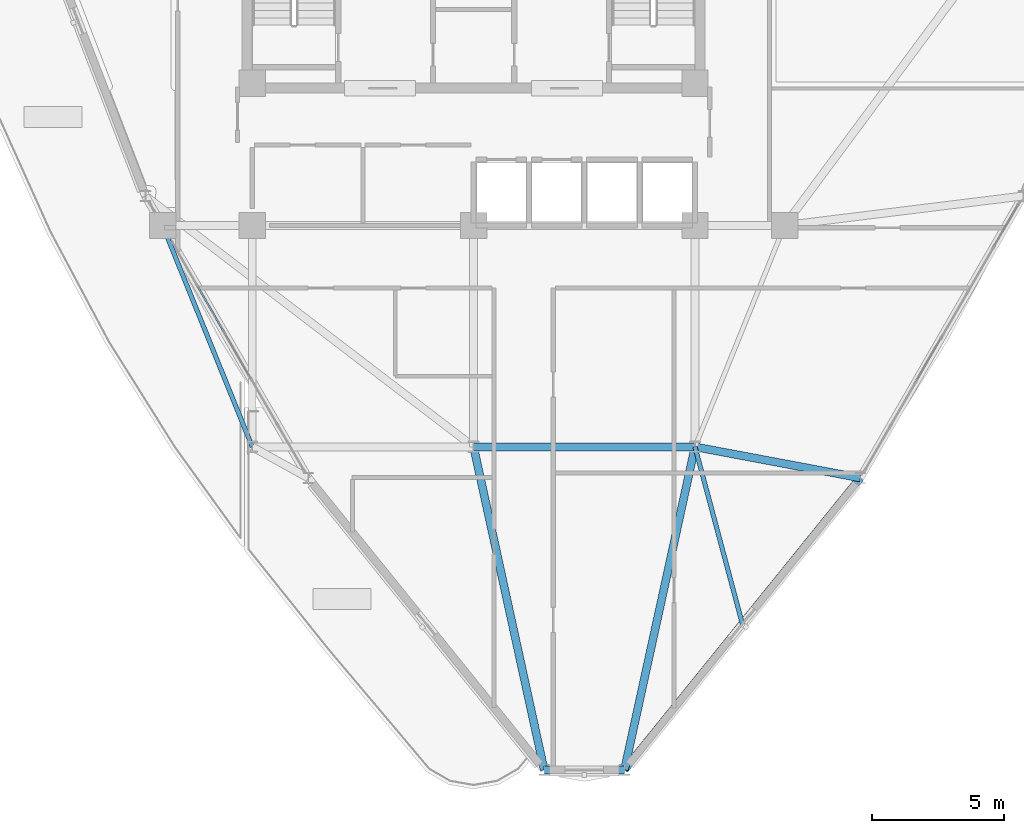
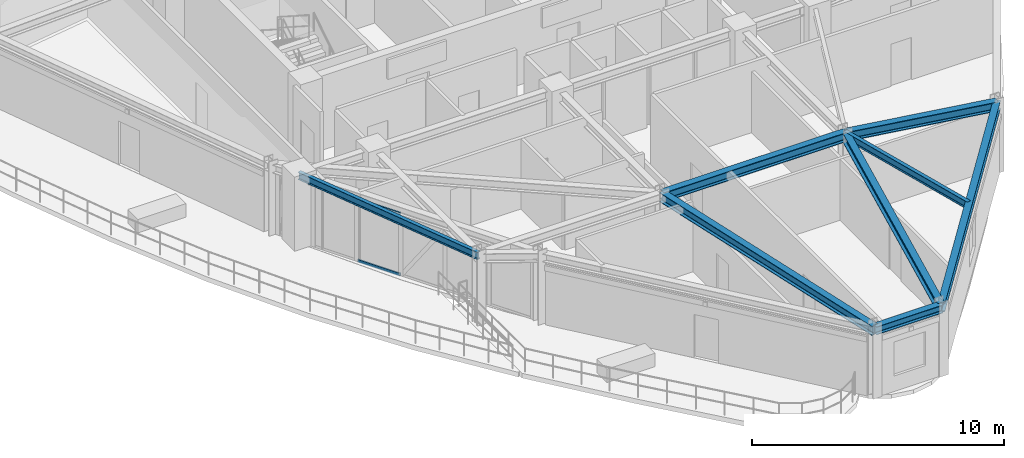
# One storey, part 3 of 19: 8 beams, 2 members, 1 element without a shape of its own.
"""IFC4 building model written with IfcOpenShell, lengths in metres."""

from ifc_helpers import new_model, si_unit, derived_unit, direction, frame, origin, origin_2d, place, context, subcontext, project, spatial, hollow_rectangle, i_section, extrude, source, transform, mapped, material, layer, layer_set, material_profile, profile_set, type_object, element, aggregate, save


model = new_model("IFC4")

# Units and contexts
model_context = context("Model", 3, precision=1e-05, world=origin(), true_north=direction((0.0, 1.0)))
body_context = subcontext(model_context, "Body", "Model", "MODEL_VIEW")
ifc_project = project(units=[si_unit("LENGTHUNIT", "METRE"), si_unit("AREAUNIT", "SQUARE_METRE"), si_unit("VOLUMEUNIT", "CUBIC_METRE"), si_unit("PLANEANGLEUNIT", "RADIAN"), si_unit("MASSUNIT", "GRAM", prefix="KILO"), derived_unit("THERMALTRANSMITTANCEUNIT", [(si_unit("POWERUNIT", "WATT"), 1), (si_unit("LENGTHUNIT", "METRE"), -2), (si_unit("THERMODYNAMICTEMPERATUREUNIT", "KELVIN"), -1)])], contexts=[model_context])

# Site, building, storey
site_placement = place(None, origin())
site = spatial("IfcSite", under=ifc_project, at=site_placement, CompositionType="ELEMENT")
building_placement = place(site_placement, origin())
building = spatial("IfcBuilding", under=site, at=building_placement, Name="Korsvarv Bourse and Concert Hall", CompositionType="ELEMENT")
storey_placement = place(building_placement, frame((0.0, 0.0, 205.800048828125)))
storey = spatial("IfcBuildingStorey", under=building, at=storey_placement, Name="L53", CompositionType="ELEMENT", Elevation=205.800048828125)

# Beams
ifc_material_1 = material(Name="Steel S355", Category="steel")
ifc_material_profile_1 = material_profile(ifc_material_1, i_section(OverallWidth=0.169921875, OverallDepth=0.360107421875, WebThickness=0.008056640625, FlangeThickness=0.0126953125, FilletRadius=0.01806640625, at=origin_2d()), Name="IPE 360")
ifc_profile_set_1 = profile_set([ifc_material_profile_1], Name="Steel S355")
beam_type_1 = type_object("IfcBeamType", Name="BM-IPE360", PredefinedType="JOIST", material=ifc_profile_set_1)
shared_shape_1 = source(origin(), body_context, "Body", "SweptSolid", [
    extrude(i_section(OverallWidth=0.169921875, OverallDepth=0.360107421875, WebThickness=0.008056640625, FlangeThickness=0.0126953125, FilletRadius=0.01806640625, at=origin_2d()), origin(), (0.0, 0.0, 1.0), 9.06201171875),
])
beam_1_placement = place(storey_placement, frame((24.199951171875, 32.39990234375, 3.22998046875), z_axis=(0.375210394783, -0.926939674222, 0.0), x_axis=(0.926939674222, 0.375210394783, 0.0)))
element("IfcBeam", 1, at=beam_1_placement, inside=storey, type_object=beam_type_1, Name="L53 beam J-06", PredefinedType="JOIST", context=body_context, shape_type="MappedRepresentation", body=[
    mapped(shared_shape_1, transform((0.0, 0.0, 0.0), scale=1.0)),
])
ifc_material_profile_2 = material_profile(ifc_material_1, i_section(OverallWidth=0.300048828125, OverallDepth=0.449951171875, WebThickness=0.013916015625, FlangeThickness=0.02587890625, FilletRadius=0.02099609375, at=origin_2d()), Name="HEB 450")
ifc_profile_set_2 = profile_set([ifc_material_profile_2], Name="Steel S355")
beam_type_2 = type_object("IfcBeamType", Name="BM-HEB450", PredefinedType="SPANDREL", material=ifc_profile_set_2)
shared_shape_2 = source(origin(), body_context, "Body", "SweptSolid", [
    extrude(i_section(OverallWidth=0.300048828125, OverallDepth=0.449951171875, WebThickness=0.013916015625, FlangeThickness=0.02587890625, FilletRadius=0.02099609375, at=origin_2d()), origin(), (0.0, 0.0, 1.0), 8.39990234375),
])
beam_2_placement = place(storey_placement, frame((36.0, 24.0, 3.18505859375), z_axis=(1.0, 0.0, 0.0), x_axis=(0.0, 1.0, 0.0)))
element("IfcBeam", 2, at=beam_2_placement, inside=storey, type_object=beam_type_2, Name="L53 beam B-08", PredefinedType="SPANDREL", context=body_context, shape_type="MappedRepresentation", body=[
    mapped(shared_shape_2, transform((0.0, 0.0, 0.0), scale=1.0)),
])
ifc_material_profile_3 = material_profile(ifc_material_1, i_section(OverallWidth=0.300048828125, OverallDepth=0.389892578125, WebThickness=0.010986328125, FlangeThickness=0.01904296875, FilletRadius=0.02099609375, at=origin_2d()), Name="HEA 400")
ifc_profile_set_3 = profile_set([ifc_material_profile_3], Name="Steel S355")
beam_type_3 = type_object("IfcBeamType", Name="BM-HEA400", PredefinedType="BEAM", material=ifc_profile_set_3)
shared_shape_3 = source(origin(), body_context, "Body", "SweptSolid", [
    extrude(i_section(OverallWidth=0.300048828125, OverallDepth=0.389892578125, WebThickness=0.010986328125, FlangeThickness=0.01904296875, FilletRadius=0.02099609375, at=origin_2d()), origin(), (0.0, 0.0, 1.0), 3.044189453125),
])
beam_3_placement = place(storey_placement, frame((38.677978515625, 11.74072265625, 3.21484375), z_axis=(1.0, 0.0, 0.0), x_axis=(0.0, 1.0, 0.0)))
element("IfcBeam", 3, at=beam_3_placement, inside=storey, type_object=beam_type_3, Name="L53 beam B-11", PredefinedType="BEAM", context=body_context, shape_type="MappedRepresentation", body=[
    mapped(shared_shape_3, transform((0.0, 0.0, 0.0), scale=1.0)),
])
shared_shape_4 = source(origin(), body_context, "Body", "SweptSolid", [
    extrude(i_section(OverallWidth=0.300048828125, OverallDepth=0.389892578125, WebThickness=0.010986328125, FlangeThickness=0.01904296875, FilletRadius=0.02099609375, at=origin_2d()), origin(), (0.0, 0.0, 1.0), 14.24462890625),
])
beam_4_placement = place(storey_placement, frame((41.72216796875, 11.74072265625, 3.21484375), z_axis=(0.628514621162, 0.77779776998, 0.0), x_axis=(-0.77779776998, 0.628514621162, 0.0)))
element("IfcBeam", 4, at=beam_4_placement, inside=storey, type_object=beam_type_3, Name="L53 beam B-11", PredefinedType="BEAM", context=body_context, shape_type="MappedRepresentation", body=[
    mapped(shared_shape_4, transform((0.0, 0.0, 0.0), scale=1.0)),
])
shared_shape_5 = source(origin(), body_context, "Body", "SweptSolid", [
    extrude(i_section(OverallWidth=0.300048828125, OverallDepth=0.449951171875, WebThickness=0.013916015625, FlangeThickness=0.02587890625, FilletRadius=0.02099609375, at=origin_2d()), origin(), (0.0, 0.0, 1.0), 12.54833984375),
])
for number, where, z_axis, x_axis, name in (
    (5, (38.677978515625, 11.74072265625, 3.18505859375), (-0.213412555087, 0.976962169857, 0.0), (-0.976962169857, -0.213412555087, 0.0), "L53 beam B-08"),
    (6, (41.72216796875, 11.74072265625, 3.18505859375), (0.213393985121, 0.976966226189, 0.0), (-0.976966226189, 0.213393985121, 0.0), "L53 beam B-08"),
):
    element("IfcBeam", number, at=place(storey_placement, frame(where, z_axis=z_axis, x_axis=x_axis)), inside=storey, type_object=beam_type_2, Name=name, PredefinedType="SPANDREL", context=body_context, shape_type="MappedRepresentation", body=[
        mapped(shared_shape_5, transform((0.0, 0.0, 0.0), scale=1.0)),
    ])
shared_shape_6 = source(origin(), body_context, "Body", "SweptSolid", [
    extrude(i_section(OverallWidth=0.300048828125, OverallDepth=0.449951171875, WebThickness=0.013916015625, FlangeThickness=0.02587890625, FilletRadius=0.02099609375, at=origin_2d()), origin(), (0.0, 0.0, 1.0), 6.385009765625),
])
beam_5_placement = place(storey_placement, frame((50.675048828125, 22.820068359375, 3.18505859375), z_axis=(-0.982777260735, 0.184794090228, 0.0), x_axis=(-0.184794090228, -0.982777260735, 0.0)))
element("IfcBeam", 7, at=beam_5_placement, inside=storey, type_object=beam_type_2, Name="L53 beam B-08", PredefinedType="SPANDREL", context=body_context, shape_type="MappedRepresentation", body=[
    mapped(shared_shape_6, transform((0.0, 0.0, 0.0), scale=1.0)),
])
shared_shape_7 = source(origin(), body_context, "Body", "SweptSolid", [
    extrude(i_section(OverallWidth=0.169921875, OverallDepth=0.360107421875, WebThickness=0.008056640625, FlangeThickness=0.0126953125, FilletRadius=0.01806640625, at=origin_2d()), origin(), (0.0, 0.0, 1.0), 6.9560546875),
])
beam_6_placement = place(storey_placement, frame((46.198486328125, 17.280517578125, 3.22998046875), z_axis=(-0.258564738392, 0.965993931689, 0.0), x_axis=(-0.965993931689, -0.258564738392, 0.0)))
element("IfcBeam", 8, at=beam_6_placement, inside=storey, type_object=beam_type_1, Name="L53 beam J-06", PredefinedType="JOIST", context=body_context, shape_type="MappedRepresentation", body=[
    mapped(shared_shape_7, transform((0.0, 0.0, 0.0), scale=1.0)),
])

# Curtain wall, members
ifc_material_2 = material(Name="Anodised aluminium and triple low-E glazing", Category="glass")
ifc_layer = layer(ifc_material_2, 0.199951171875)
ifc_layer_set = layer_set([ifc_layer], Name="Anodised aluminium and triple low-E glazing")
curtain_wall_type = type_object("IfcCurtainWallType", Name="CW-SYS-3", PredefinedType="NOTDEFINED", material=ifc_layer_set)
curtain_wall_placement = place(storey_placement, origin())
curtain_wall = element("IfcCurtainWall", 9, at=curtain_wall_placement, inside=storey, type_object=curtain_wall_type, Name="L53 CW3 curtain wall CW-L53-F07-2", PredefinedType="NOTDEFINED")
ifc_material_3 = material(Name="Extruded aluminium EN AW-6063 T66", Category="aluminium")
ifc_material_profile_4 = material_profile(ifc_material_3, hollow_rectangle(XDim=0.06494140625, YDim=0.139892578125, WallThickness=0.00390625, at=origin_2d()), Name="ALU-T 65x140")
ifc_profile_set_4 = profile_set([ifc_material_profile_4], Name="Extruded aluminium EN AW-6063 T66")
member_type = type_object("IfcMemberType", Name="CWT-140", PredefinedType="USERDEFINED", material=ifc_profile_set_4)
shared_shape_8 = source(origin(), body_context, "Body", "SweptSolid", [
    extrude(hollow_rectangle(XDim=0.06494140625, YDim=0.139892578125, WallThickness=0.00390625, at=origin_2d()), origin(), (0.0, 0.0, 1.0), 1.955810546875),
])
member_1_placement = place(storey_placement, frame((25.541748046875, 30.065185546875, 0.032470703125), z_axis=(0.500086243919, -0.865975605109, 0.0), x_axis=(0.865975605109, 0.500086243919, 0.0)))
member_1 = element("IfcMember", 10, at=member_1_placement, type_object=member_type, Name="CW3 transom 2.1", ObjectType="TRANSOM", PredefinedType="USERDEFINED", context=body_context, shape_type="MappedRepresentation", body=[
    mapped(shared_shape_8, transform((0.0, 0.0, 0.0), scale=1.0)),
])
member_2_placement = place(storey_placement, frame((25.541748046875, 30.065185546875, 2.987548828125), z_axis=(0.500086243919, -0.865975605109, 0.0), x_axis=(0.865975605109, 0.500086243919, 0.0)))
member_2 = element("IfcMember", 11, at=member_2_placement, type_object=member_type, Name="CW3 transom 2.2", ObjectType="TRANSOM", PredefinedType="USERDEFINED", context=body_context, shape_type="MappedRepresentation", body=[
    mapped(shared_shape_8, transform((0.0, 0.0, 0.0), scale=1.0)),
])
aggregate(curtain_wall, [member_1, member_2])

save(model, "model.ifc")
